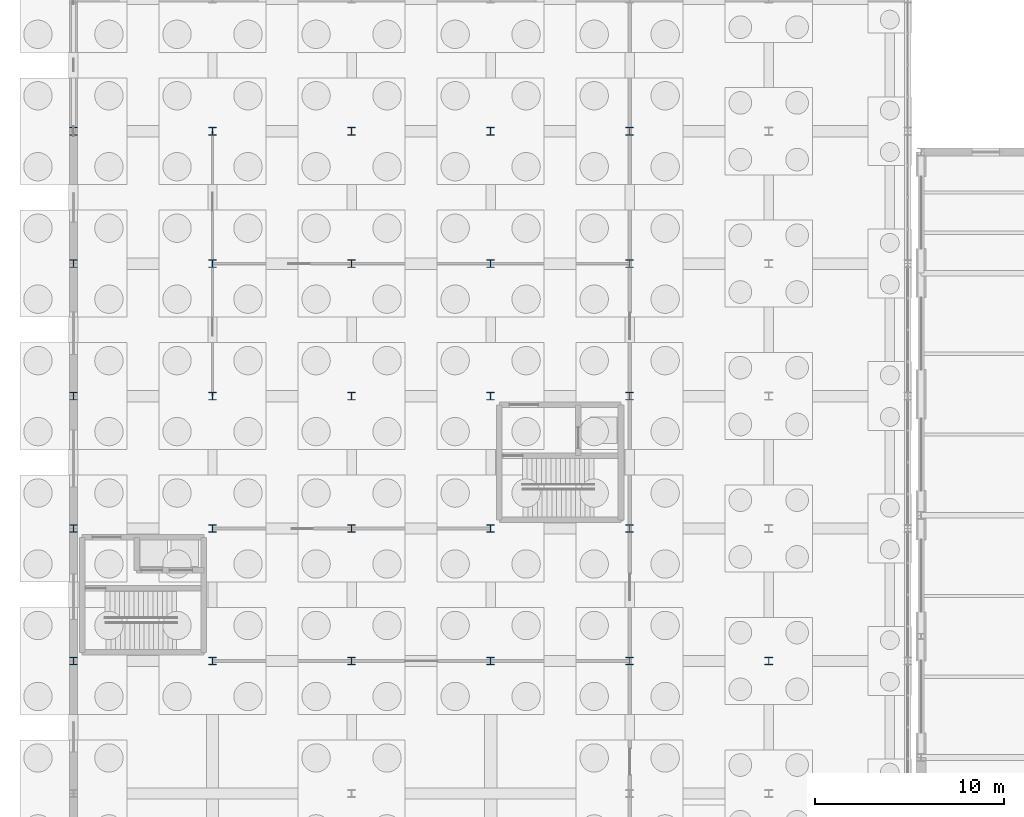
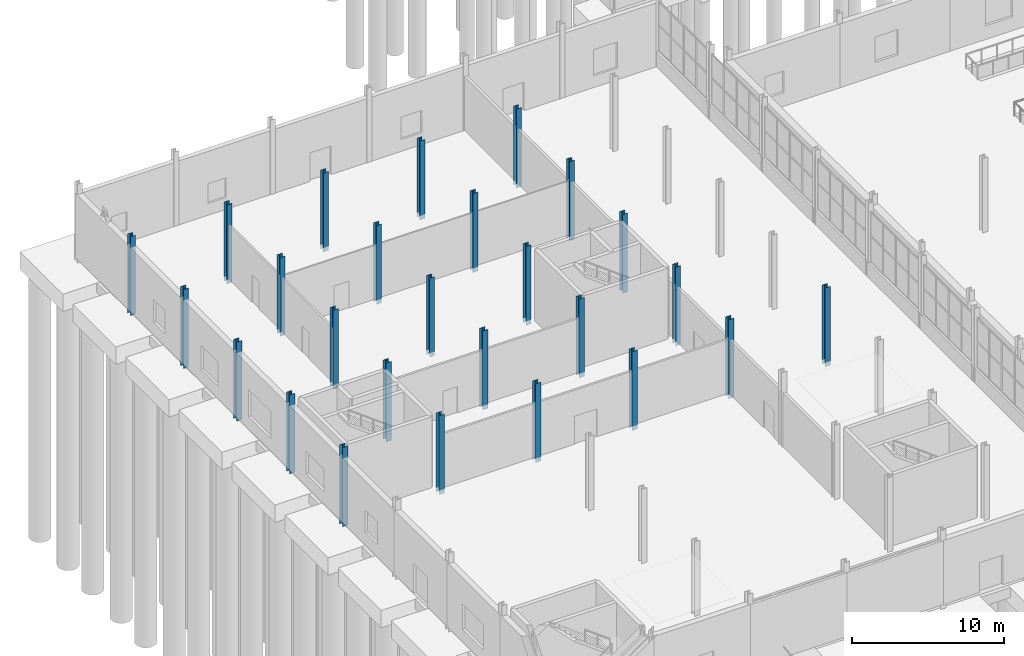
# One storey, part 14 of 139: 26 columns.
"""IFC4 building model written with IfcOpenShell, lengths in metres."""

from ifc_helpers import new_model, si_unit, direction, frame, origin, origin_2d, place, context, subcontext, project, spatial, i_section, extrude, material, material_profile, profile_set, type_object, element, save


model = new_model("IFC4")

# Units and contexts
model_context = context("Model", 3, precision=1e-05, world=origin(), true_north=direction((0.0, 1.0)))
body_context = subcontext(model_context, "Body", "Model", "MODEL_VIEW")
ifc_project = project(units=[si_unit("LENGTHUNIT", "METRE"), si_unit("AREAUNIT", "SQUARE_METRE"), si_unit("VOLUMEUNIT", "CUBIC_METRE"), si_unit("PLANEANGLEUNIT", "RADIAN"), si_unit("MASSUNIT", "GRAM", prefix="KILO")], contexts=[model_context])

# Site, building, storey
site_placement = place(None, origin())
site = spatial("IfcSite", under=ifc_project, at=site_placement, CompositionType="ELEMENT")
building_placement = place(site_placement, origin())
building = spatial("IfcBuilding", under=site, at=building_placement, Name="Kazenagashi Tramway Depot", CompositionType="ELEMENT")
storey_placement = place(building_placement, origin())
storey = spatial("IfcBuildingStorey", under=building, at=storey_placement, Name="L01", CompositionType="ELEMENT", Elevation=0.0)

# Columns
ifc_material = material(Name="Steel SN490B", Category="steel")
ifc_material_profile = material_profile(ifc_material, i_section(OverallWidth=0.4, OverallDepth=0.4, WebThickness=0.013, FlangeThickness=0.021, at=origin_2d()), Name="H-400x400x13x21")
ifc_profile_set = profile_set([ifc_material_profile], Name="Steel SN490B")
column_type = type_object("IfcColumnType", Name="C-03", PredefinedType="COLUMN", material=ifc_profile_set)
for number, where, z_axis, x_axis, name in (
    (1, (0.0, 28.0, -0.35), (0.0, 0.0, 1.0), (1.0, 0.0, 0.0), "Column C-03 COL-0549"),
    (2, (0.0, 35.0, -0.35), (0.0, 0.0, 1.0), (1.0, 0.0, 0.0), "Column C-03 COL-0554"),
    (3, (0.0, 42.0, -0.35), (0.0, 0.0, 1.0), (1.0, 0.0, 0.0), "Column C-03 COL-0559"),
    (4, (0.0, 49.0, -0.35), (0.0, 0.0, 1.0), (1.0, 0.0, 0.0), "Column C-03 COL-0564"),
    (5, (0.0, 56.0, -0.35), (0.0, 0.0, 1.0), (1.0, 0.0, 0.0), "Column C-03 COL-0568"),
    (6, (7.35, 28.0, -0.35), (0.0, 0.0, 1.0), (1.0, 0.0, 0.0), "Column C-03 COL-0591"),
    (7, (7.35, 35.0, -0.35), (0.0, 0.0, 1.0), (1.0, 0.0, 0.0), "Column C-03 COL-0596"),
    (8, (7.35, 42.0, -0.35), (0.0, 0.0, 1.0), (1.0, 0.0, 0.0), "Column C-03 COL-0601"),
    (9, (7.35, 49.0, -0.35), (0.0, 0.0, 1.0), (1.0, 0.0, 0.0), "Column C-03 COL-0606"),
    (10, (7.35, 56.0, -0.35), (0.0, 0.0, 1.0), (1.0, 0.0, 0.0), "Column C-03 COL-0610"),
    (11, (14.7, 28.0, -0.35), (0.0, 0.0, 1.0), (1.0, 0.0, 0.0), "Column C-03 COL-0636"),
    (12, (14.7, 35.0, -0.35), (0.0, 0.0, 1.0), (1.0, 0.0, 0.0), "Column C-03 COL-0641"),
    (13, (14.7, 42.0, -0.35), (0.0, 0.0, 1.0), (1.0, 0.0, 0.0), "Column C-03 COL-0646"),
    (14, (14.7, 49.0, -0.35), (0.0, 0.0, 1.0), (1.0, 0.0, 0.0), "Column C-03 COL-0651"),
    (15, (14.7, 56.0, -0.35), (0.0, 0.0, 1.0), (1.0, 0.0, 0.0), "Column C-03 COL-0655"),
    (16, (22.05, 28.0, -0.35), (0.0, 0.0, 1.0), (1.0, 0.0, 0.0), "Column C-03 COL-0678"),
    (17, (22.05, 35.0, -0.35), (0.0, 0.0, 1.0), (1.0, 0.0, 0.0), "Column C-03 COL-0683"),
    (18, (22.05, 42.0, -0.35), (0.0, 0.0, 1.0), (1.0, 0.0, 0.0), "Column C-03 COL-0688"),
    (19, (22.05, 49.0, -0.35), (0.0, 0.0, 1.0), (1.0, 0.0, 0.0), "Column C-03 COL-0693"),
    (20, (22.05, 56.0, -0.35), (0.0, 0.0, 1.0), (1.0, 0.0, 0.0), "Column C-03 COL-0697"),
    (21, (29.4, 28.0, -0.35), (0.0, 0.0, 1.0), (1.0, 0.0, 0.0), "Column C-03 COL-0723"),
    (22, (29.4, 35.0, -0.35), (0.0, 0.0, 1.0), (1.0, 0.0, 0.0), "Column C-03 COL-0728"),
    (23, (29.4, 42.0, -0.35), (0.0, 0.0, 1.0), (1.0, 0.0, 0.0), "Column C-03 COL-0733"),
    (24, (29.4, 49.0, -0.35), (0.0, 0.0, 1.0), (1.0, 0.0, 0.0), "Column C-03 COL-0738"),
    (25, (29.4, 56.0, -0.35), (0.0, 0.0, 1.0), (1.0, 0.0, 0.0), "Column C-03 COL-0742"),
    (26, (36.75, 28.0, -0.35), (0.0, 0.0, 1.0), (1.0, 0.0, 0.0), "Column C-03 COL-0764"),
):
    element("IfcColumn", number, at=place(storey_placement, frame(where, z_axis=z_axis, x_axis=x_axis)), inside=storey, type_object=column_type, Name=name, PredefinedType="COLUMN", context=body_context, shape_type="SweptSolid", body=[
        extrude(i_section(OverallWidth=0.4, OverallDepth=0.4, WebThickness=0.013, FlangeThickness=0.021, at=origin_2d()), origin(), (0.0, 0.0, 1.0), 6.35),
    ])

save(model, "model.ifc")
